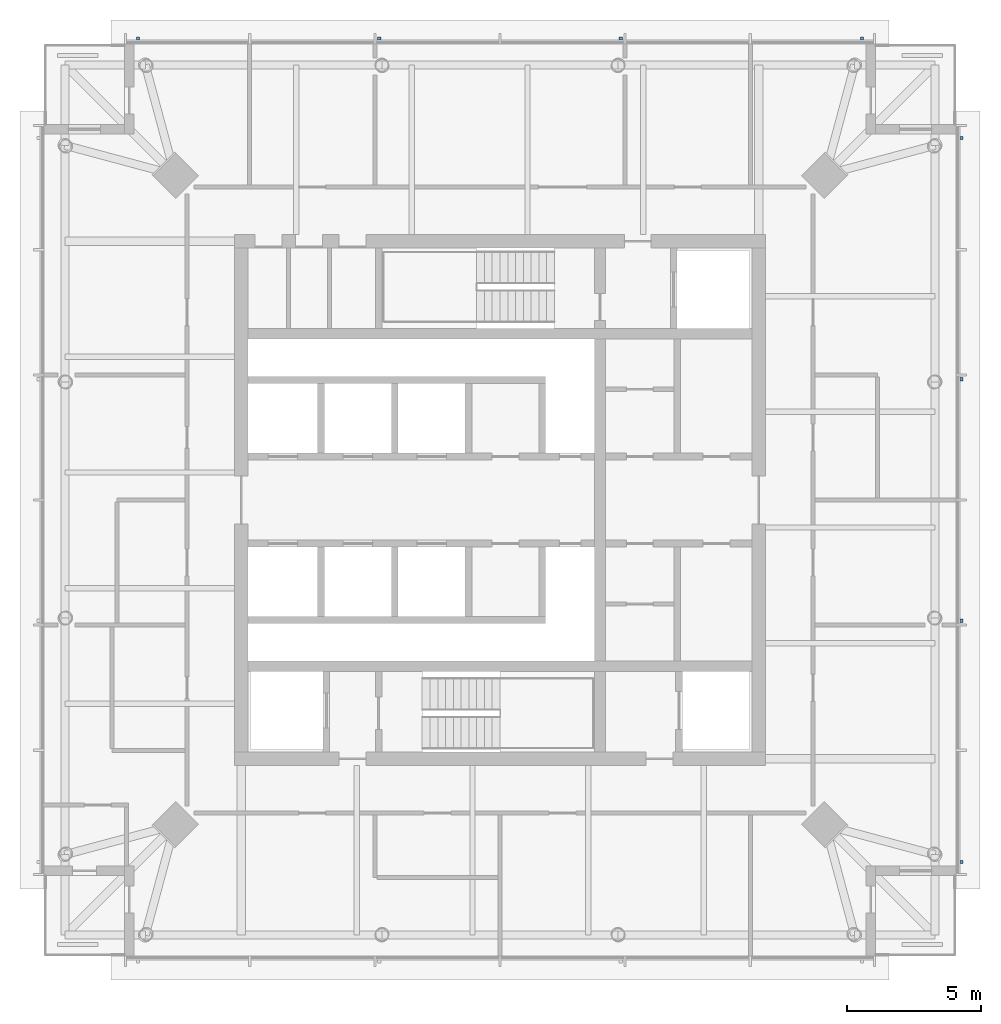
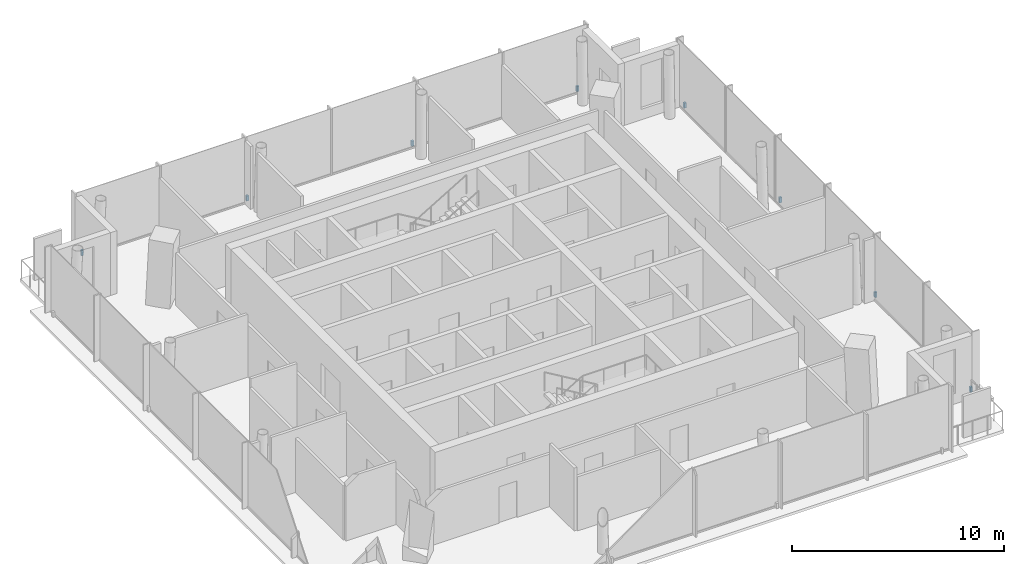
# One storey, part 8 of 9: 8 discrete accessories.
"""IFC4 building model written with IfcOpenShell, lengths in metres."""

from ifc_helpers import new_model, si_unit, direction, frame, origin, origin_2d, place, context, subcontext, project, spatial, rectangle, extrude, material, type_object, element, save


model = new_model("IFC4")

# Units and contexts
model_context = context("Model", 3, precision=1e-05, world=origin(), true_north=direction((0.0, 1.0)))
body_context = subcontext(model_context, "Body", "Model", "MODEL_VIEW")
ifc_project = project(units=[si_unit("LENGTHUNIT", "METRE"), si_unit("AREAUNIT", "SQUARE_METRE"), si_unit("VOLUMEUNIT", "CUBIC_METRE"), si_unit("PLANEANGLEUNIT", "RADIAN"), si_unit("MASSUNIT", "GRAM", prefix="KILO")], contexts=[model_context])

# Site, building, storey
site_placement = place(None, origin())
site = spatial("IfcSite", under=ifc_project, at=site_placement, CompositionType="ELEMENT")
building_placement = place(site_placement, origin())
building = spatial("IfcBuilding", under=site, at=building_placement, Name="Ostroluk Exchange", CompositionType="ELEMENT")
storey_placement = place(building_placement, frame((0.0, 0.0, 264.199951171875)))
storey = spatial("IfcBuildingStorey", under=building, at=storey_placement, Name="L68", CompositionType="ELEMENT", Elevation=264.199951171875)

# Discrete accessories
ifc_material = material(Name="Stainless steel", Category="steel")
discrete_accessory_type = type_object("IfcDiscreteAccessoryType", Name="Fall-arrest anchor PN-EN 795 type C", PredefinedType="USERDEFINED", material=ifc_material)
for number, where, z_axis, x_axis, name in (
    (1, (62.2099609375, 32.5, 0.0), (0.0, 0.0, 1.0), (1.0, 0.0, 0.0), "Fall-arrest anchor L68 east 1"),
    (2, (62.2099609375, 41.5, 0.0), (0.0, 0.0, 1.0), (1.0, 0.0, 0.0), "Fall-arrest anchor L68 east 2"),
    (3, (62.2099609375, 50.5, 0.0), (0.0, 0.0, 1.0), (1.0, 0.0, 0.0), "Fall-arrest anchor L68 east 3"),
    (4, (62.2099609375, 59.5, 0.0), (0.0, 0.0, 1.0), (1.0, 0.0, 0.0), "Fall-arrest anchor L68 east 4"),
    (5, (31.5, 63.2099609375, 0.0), (0.0, 0.0, 1.0), (1.0, 0.0, 0.0), "Fall-arrest anchor L68 north 1"),
    (6, (40.5, 63.2099609375, 0.0), (0.0, 0.0, 1.0), (1.0, 0.0, 0.0), "Fall-arrest anchor L68 north 2"),
    (7, (49.5, 63.2099609375, 0.0), (0.0, 0.0, 1.0), (1.0, 0.0, 0.0), "Fall-arrest anchor L68 north 3"),
    (8, (58.5, 63.2099609375, 0.0), (0.0, 0.0, 1.0), (1.0, 0.0, 0.0), "Fall-arrest anchor L68 north 4"),
):
    element("IfcDiscreteAccessory", number, at=place(storey_placement, frame(where, z_axis=z_axis, x_axis=x_axis)), inside=storey, type_object=discrete_accessory_type, Name=name, ObjectType="FALL ARREST ANCHOR", PredefinedType="USERDEFINED", context=body_context, shape_type="SweptSolid", body=[
        extrude(rectangle(XDim=0.1201171875, YDim=0.1201171875, at=origin_2d()), origin(), (0.0, 0.0, 1.0), 0.300048828125),
    ])

save(model, "model.ifc")
